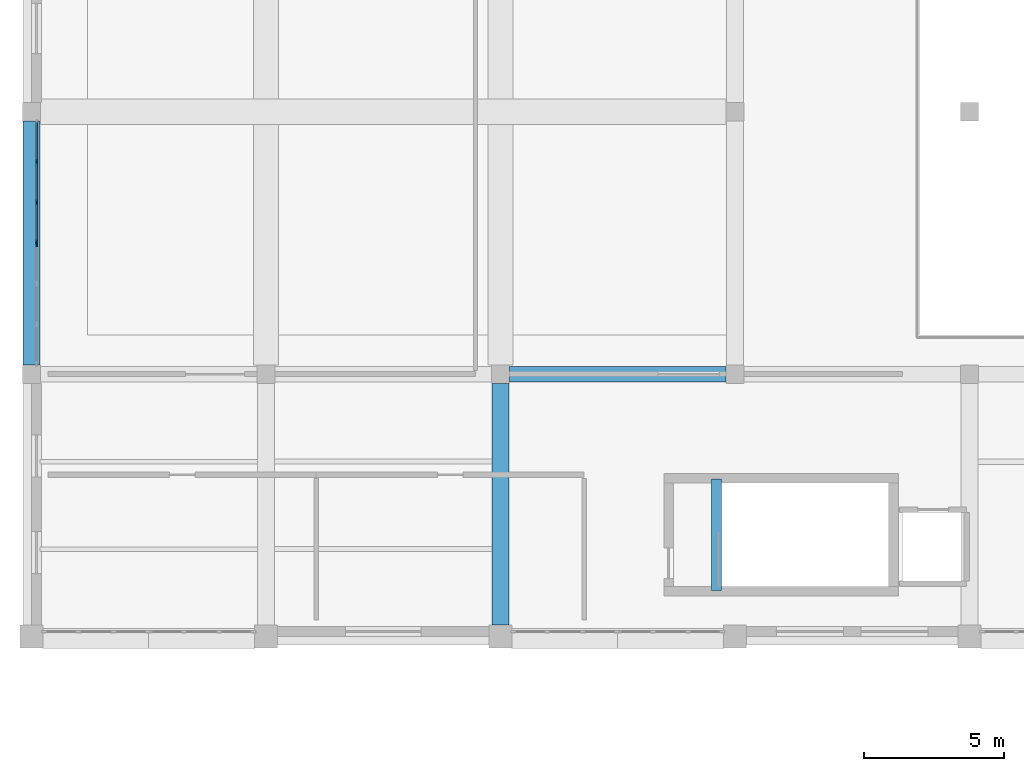
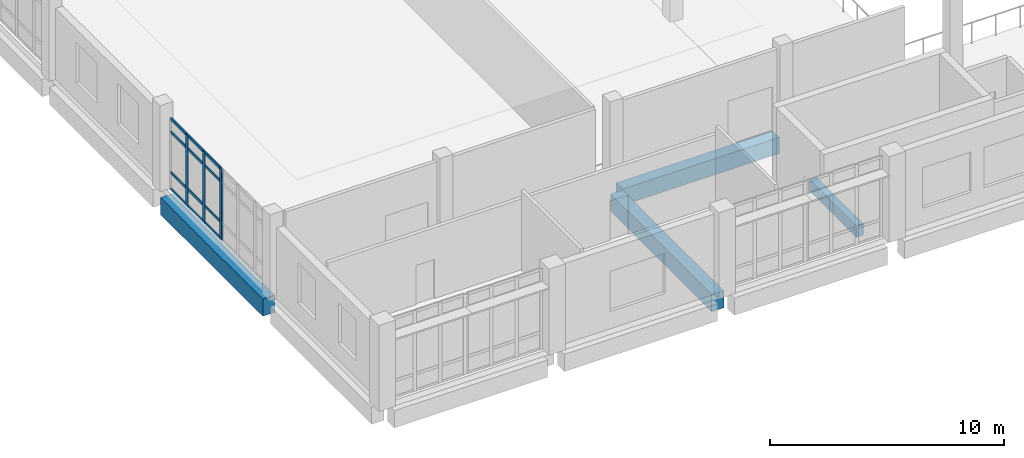
# One storey, part 12 of 54: 16 members, 4 beams, 2 elements without a shape of their own.
"""IFC4 building model written with IfcOpenShell, lengths in metres."""

from ifc_helpers import new_model, si_unit, direction, frame, origin, origin_2d, place, context, subcontext, project, spatial, rectangle, extrude, material, layer, layer_set, material_profile, profile_set, type_object, element, aggregate, save


model = new_model("IFC4")

# Units and contexts
model_context = context("Model", 3, precision=1e-05, world=origin(), true_north=direction((0.0, 1.0)))
body_context = subcontext(model_context, "Body", "Model", "MODEL_VIEW")
ifc_project = project(units=[si_unit("LENGTHUNIT", "METRE"), si_unit("AREAUNIT", "SQUARE_METRE"), si_unit("VOLUMEUNIT", "CUBIC_METRE"), si_unit("PLANEANGLEUNIT", "RADIAN"), si_unit("MASSUNIT", "GRAM", prefix="KILO")], contexts=[model_context])

# Site, building, storey
site_placement = place(None, origin())
site = spatial("IfcSite", under=ifc_project, at=site_placement, CompositionType="ELEMENT")
building_placement = place(site_placement, origin())
building = spatial("IfcBuilding", under=site, at=building_placement, Name="Kelarvand Opera House", CompositionType="ELEMENT")
storey_placement = place(building_placement, frame((0.0, 0.0, 15.0)))
storey = spatial("IfcBuildingStorey", under=building, at=storey_placement, Name="L03", CompositionType="ELEMENT", Elevation=15.0)

# Curtain wall, member
ifc_material_1 = material(Name="Thermally broken aluminium and low-E glazing", Category="aluminium")
ifc_layer = layer(ifc_material_1, 0.179931640625, Name="Thermally broken aluminium and low-E glazing", Category="aluminium")
ifc_layer_set = layer_set([ifc_layer], Name="Thermally broken aluminium and low-E glazing")
curtain_wall_type = type_object("IfcCurtainWallType", Name="Unitised Low-E Curtain Wall 4326x3717 Mod 1350 CWF-20", PredefinedType="USERDEFINED", material=ifc_layer_set)
curtain_wall_1_placement = place(storey_placement, origin())
curtain_wall_1 = element("IfcCurtainWall", 1, at=curtain_wall_1_placement, inside=storey, type_object=curtain_wall_type, Name="V3 L03 Curtain Wall CWF-20 (97)", ObjectType="UNITISED CURTAIN WALL", PredefinedType="USERDEFINED")
ifc_material_2 = material(Name="Thermally broken anodised aluminium", Category="aluminium")
ifc_material_profile_1 = material_profile(ifc_material_2, rectangle(XDim=0.06494140625, YDim=0.179931640625, at=origin_2d()), Name="ALU MULLION 65x180", Category="aluminium")
ifc_profile_set_1 = profile_set([ifc_material_profile_1], Name="Thermally broken anodised aluminium")
member_type_1 = type_object("IfcMemberType", Name="Curtain Wall Mullion 65x180 Aluminium", PredefinedType="MULLION", material=ifc_profile_set_1)
member_1_placement = place(storey_placement, frame((9.179931640625, 101.263427734375, 0.0), z_axis=(0.0, 0.0, 1.0), x_axis=(-1.0, 0.0, 0.0)))
member_1 = element("IfcMember", 2, at=member_1_placement, type_object=member_type_1, Name="CWF-20 mullion 4", PredefinedType="MULLION", context=body_context, shape_type="SweptSolid", body=[
    extrude(rectangle(XDim=0.06494140625, YDim=0.179931640625, at=origin_2d()), origin(), (0.0, 0.0, 1.0), 3.71728515625),
])
aggregate(curtain_wall_1, [member_1])

# Curtain wall, members
curtain_wall_2_placement = place(storey_placement, origin())
curtain_wall_2 = element("IfcCurtainWall", 3, at=curtain_wall_2_placement, inside=storey, type_object=curtain_wall_type, Name="V3 L03 Curtain Wall CWF-20 (98)", ObjectType="UNITISED CURTAIN WALL", PredefinedType="USERDEFINED")
member_2_placement = place(storey_placement, frame((9.179931640625, 101.33251953125, 0.0), z_axis=(0.0, 0.0, 1.0), x_axis=(-1.0, 0.0, 0.0)))
member_2 = element("IfcMember", 4, at=member_2_placement, type_object=member_type_1, Name="CWF-20 mullion 1", PredefinedType="MULLION", context=body_context, shape_type="SweptSolid", body=[
    extrude(rectangle(XDim=0.06494140625, YDim=0.179931640625, at=origin_2d()), origin(), (0.0, 0.0, 1.0), 3.71728515625),
])
member_3_placement = place(storey_placement, frame((9.179931640625, 102.7548828125, 0.0), z_axis=(0.0, 0.0, 1.0), x_axis=(-1.0, 0.0, 0.0)))
member_3 = element("IfcMember", 5, at=member_3_placement, type_object=member_type_1, Name="CWF-20 mullion 2", PredefinedType="MULLION", context=body_context, shape_type="SweptSolid", body=[
    extrude(rectangle(XDim=0.06494140625, YDim=0.179931640625, at=origin_2d()), origin(), (0.0, 0.0, 1.0), 3.71728515625),
])
member_4_placement = place(storey_placement, frame((9.179931640625, 104.2099609375, 0.0), z_axis=(0.0, 0.0, 1.0), x_axis=(-1.0, 0.0, 0.0)))
member_4 = element("IfcMember", 6, at=member_4_placement, type_object=member_type_1, Name="CWF-20 mullion 3", PredefinedType="MULLION", context=body_context, shape_type="SweptSolid", body=[
    extrude(rectangle(XDim=0.06494140625, YDim=0.179931640625, at=origin_2d()), origin(), (0.0, 0.0, 1.0), 3.71728515625),
])
ifc_material_profile_2 = material_profile(ifc_material_2, rectangle(XDim=0.06494140625, YDim=0.139892578125, at=origin_2d()), Name="ALU TRANSOM 65x140", Category="aluminium")
ifc_profile_set_2 = profile_set([ifc_material_profile_2], Name="Thermally broken anodised aluminium")
member_type_2 = type_object("IfcMemberType", Name="Curtain Wall Transom 65x140 Aluminium", PredefinedType="USERDEFINED", material=ifc_profile_set_2)
member_5_placement = place(storey_placement, frame((9.179931640625, 101.364990234375, 0.032470703125), z_axis=(0.0, 1.0, 0.0), x_axis=(-1.0, 0.0, 0.0)))
member_5 = element("IfcMember", 7, at=member_5_placement, type_object=member_type_2, Name="CWF-20 transom 1.1", ObjectType="TRANSOM", PredefinedType="USERDEFINED", context=body_context, shape_type="SweptSolid", body=[
    extrude(rectangle(XDim=0.06494140625, YDim=0.139892578125, at=origin_2d()), origin(), (0.0, 0.0, 1.0), 1.357421875),
])
member_6_placement = place(storey_placement, frame((9.179931640625, 101.364990234375, 0.89990234375), z_axis=(0.0, 1.0, 0.0), x_axis=(-1.0, 0.0, 0.0)))
member_6 = element("IfcMember", 8, at=member_6_placement, type_object=member_type_2, Name="CWF-20 transom 1.2", ObjectType="TRANSOM", PredefinedType="USERDEFINED", context=body_context, shape_type="SweptSolid", body=[
    extrude(rectangle(XDim=0.06494140625, YDim=0.139892578125, at=origin_2d()), origin(), (0.0, 0.0, 1.0), 1.357421875),
])
member_7_placement = place(storey_placement, frame((9.179931640625, 101.364990234375, 3.01708984375), z_axis=(0.0, 1.0, 0.0), x_axis=(-1.0, 0.0, 0.0)))
member_7 = element("IfcMember", 9, at=member_7_placement, type_object=member_type_2, Name="CWF-20 transom 1.3", ObjectType="TRANSOM", PredefinedType="USERDEFINED", context=body_context, shape_type="SweptSolid", body=[
    extrude(rectangle(XDim=0.06494140625, YDim=0.139892578125, at=origin_2d()), origin(), (0.0, 0.0, 1.0), 1.357421875),
])
member_8_placement = place(storey_placement, frame((9.179931640625, 101.364990234375, 3.684814453125), z_axis=(0.0, 1.0, 0.0), x_axis=(-1.0, 0.0, 0.0)))
member_8 = element("IfcMember", 10, at=member_8_placement, type_object=member_type_2, Name="CWF-20 transom 1.4", ObjectType="TRANSOM", PredefinedType="USERDEFINED", context=body_context, shape_type="SweptSolid", body=[
    extrude(rectangle(XDim=0.06494140625, YDim=0.139892578125, at=origin_2d()), origin(), (0.0, 0.0, 1.0), 1.357421875),
])
member_9_placement = place(storey_placement, frame((9.179931640625, 102.78759765625, 0.032470703125), z_axis=(0.0, 1.0, 0.0), x_axis=(-1.0, 0.0, 0.0)))
member_9 = element("IfcMember", 11, at=member_9_placement, type_object=member_type_2, Name="CWF-20 transom 2.1", ObjectType="TRANSOM", PredefinedType="USERDEFINED", context=body_context, shape_type="SweptSolid", body=[
    extrude(rectangle(XDim=0.06494140625, YDim=0.139892578125, at=origin_2d()), origin(), (0.0, 0.0, 1.0), 1.389892578125),
])
member_10_placement = place(storey_placement, frame((9.179931640625, 102.78759765625, 0.89990234375), z_axis=(0.0, 1.0, 0.0), x_axis=(-1.0, 0.0, 0.0)))
member_10 = element("IfcMember", 12, at=member_10_placement, type_object=member_type_2, Name="CWF-20 transom 2.2", ObjectType="TRANSOM", PredefinedType="USERDEFINED", context=body_context, shape_type="SweptSolid", body=[
    extrude(rectangle(XDim=0.06494140625, YDim=0.139892578125, at=origin_2d()), origin(), (0.0, 0.0, 1.0), 1.389892578125),
])
member_11_placement = place(storey_placement, frame((9.179931640625, 102.78759765625, 3.01708984375), z_axis=(0.0, 1.0, 0.0), x_axis=(-1.0, 0.0, 0.0)))
member_11 = element("IfcMember", 13, at=member_11_placement, type_object=member_type_2, Name="CWF-20 transom 2.3", ObjectType="TRANSOM", PredefinedType="USERDEFINED", context=body_context, shape_type="SweptSolid", body=[
    extrude(rectangle(XDim=0.06494140625, YDim=0.139892578125, at=origin_2d()), origin(), (0.0, 0.0, 1.0), 1.389892578125),
])
member_12_placement = place(storey_placement, frame((9.179931640625, 102.78759765625, 3.684814453125), z_axis=(0.0, 1.0, 0.0), x_axis=(-1.0, 0.0, 0.0)))
member_12 = element("IfcMember", 14, at=member_12_placement, type_object=member_type_2, Name="CWF-20 transom 2.4", ObjectType="TRANSOM", PredefinedType="USERDEFINED", context=body_context, shape_type="SweptSolid", body=[
    extrude(rectangle(XDim=0.06494140625, YDim=0.139892578125, at=origin_2d()), origin(), (0.0, 0.0, 1.0), 1.389892578125),
])
member_13_placement = place(storey_placement, frame((9.179931640625, 104.242431640625, 0.032470703125), z_axis=(0.0, 1.0, 0.0), x_axis=(-1.0, 0.0, 0.0)))
member_13 = element("IfcMember", 15, at=member_13_placement, type_object=member_type_2, Name="CWF-20 transom 3.1", ObjectType="TRANSOM", PredefinedType="USERDEFINED", context=body_context, shape_type="SweptSolid", body=[
    extrude(rectangle(XDim=0.06494140625, YDim=0.139892578125, at=origin_2d()), origin(), (0.0, 0.0, 1.0), 1.357666015625),
])
member_14_placement = place(storey_placement, frame((9.179931640625, 104.242431640625, 0.89990234375), z_axis=(0.0, 1.0, 0.0), x_axis=(-1.0, 0.0, 0.0)))
member_14 = element("IfcMember", 16, at=member_14_placement, type_object=member_type_2, Name="CWF-20 transom 3.2", ObjectType="TRANSOM", PredefinedType="USERDEFINED", context=body_context, shape_type="SweptSolid", body=[
    extrude(rectangle(XDim=0.06494140625, YDim=0.139892578125, at=origin_2d()), origin(), (0.0, 0.0, 1.0), 1.357666015625),
])
member_15_placement = place(storey_placement, frame((9.179931640625, 104.242431640625, 3.01708984375), z_axis=(0.0, 1.0, 0.0), x_axis=(-1.0, 0.0, 0.0)))
member_15 = element("IfcMember", 17, at=member_15_placement, type_object=member_type_2, Name="CWF-20 transom 3.3", ObjectType="TRANSOM", PredefinedType="USERDEFINED", context=body_context, shape_type="SweptSolid", body=[
    extrude(rectangle(XDim=0.06494140625, YDim=0.139892578125, at=origin_2d()), origin(), (0.0, 0.0, 1.0), 1.357666015625),
])
member_16_placement = place(storey_placement, frame((9.179931640625, 104.242431640625, 3.684814453125), z_axis=(0.0, 1.0, 0.0), x_axis=(-1.0, 0.0, 0.0)))
member_16 = element("IfcMember", 18, at=member_16_placement, type_object=member_type_2, Name="CWF-20 transom 3.4", ObjectType="TRANSOM", PredefinedType="USERDEFINED", context=body_context, shape_type="SweptSolid", body=[
    extrude(rectangle(XDim=0.06494140625, YDim=0.139892578125, at=origin_2d()), origin(), (0.0, 0.0, 1.0), 1.357666015625),
])
aggregate(curtain_wall_2, [member_2, member_3, member_4, member_5, member_6, member_7, member_8, member_9, member_10, member_11, member_12, member_13, member_14, member_15, member_16])

# Beams
ifc_material_3 = material(Name="Concrete C35/45", Category="concrete")
ifc_material_profile_3 = material_profile(ifc_material_3, rectangle(XDim=0.35009765625, YDim=0.60009765625, at=origin_2d()), Name="RC 350x600", Category="concrete")
ifc_profile_set_3 = profile_set([ifc_material_profile_3], Name="Concrete C35/45")
beam_type_1 = type_object("IfcBeamType", Name="Structural Beam RC 350x600 BM-RC350x600", PredefinedType="BEAM", material=ifc_profile_set_3)
beam_1_placement = place(storey_placement, frame((33.5400390625, 88.85009765625, -0.52001953125), z_axis=(0.0, 1.0, 0.0), x_axis=(-1.0, 0.0, 0.0)))
element("IfcBeam", 19, at=beam_1_placement, inside=storey, type_object=beam_type_1, Name="C5 Stair Landing Support Beam L03", PredefinedType="BEAM", context=body_context, shape_type="SweptSolid", body=[
    extrude(rectangle(XDim=0.35009765625, YDim=0.60009765625, at=origin_2d()), origin(), (0.0, 0.0, 1.0), 4.0),
])
ifc_material_4 = material(Name="Concrete C40/50", Category="concrete")
ifc_material_profile_4 = material_profile(ifc_material_4, rectangle(XDim=0.550048828125, YDim=0.85009765625, at=origin_2d()), Name="RC 550x850", Category="concrete")
ifc_profile_set_4 = profile_set([ifc_material_profile_4], Name="Concrete C40/50")
beam_type_2 = type_object("IfcBeamType", Name="Structural Beam RC 550x850 BM-RC550x850", PredefinedType="BEAM", material=ifc_profile_set_4)
beam_2_placement = place(storey_placement, frame((26.125, 96.60009765625, -0.72509765625), z_axis=(1.0, 0.0, 0.0), x_axis=(0.0, 1.0, 0.0)))
element("IfcBeam", 20, at=beam_2_placement, inside=storey, type_object=beam_type_2, Name="V3 L03 Beam BM-RC550x850", PredefinedType="BEAM", context=body_context, shape_type="SweptSolid", body=[
    extrude(rectangle(XDim=0.550048828125, YDim=0.85009765625, at=origin_2d()), origin(), (0.0, 0.0, 1.0), 7.75),
])
ifc_material_profile_5 = material_profile(ifc_material_4, rectangle(XDim=0.60009765625, YDim=0.89990234375, at=origin_2d()), Name="RC 600x900", Category="concrete")
ifc_profile_set_5 = profile_set([ifc_material_profile_5], Name="Concrete C40/50")
beam_type_3 = type_object("IfcBeamType", Name="Structural Beam RC 600x900 BM-RC600x900", PredefinedType="BEAM", material=ifc_profile_set_5)
beam_3_placement = place(storey_placement, frame((25.800048828125, 87.610107421875, -0.75), z_axis=(0.0, 1.0, 0.0), x_axis=(-1.0, 0.0, 0.0)))
element("IfcBeam", 21, at=beam_3_placement, inside=storey, type_object=beam_type_3, Name="V3 L03 Beam BM-RC600x900", PredefinedType="BEAM", context=body_context, shape_type="SweptSolid", body=[
    extrude(rectangle(XDim=0.60009765625, YDim=0.89990234375, at=origin_2d()), origin(), (0.0, 0.0, 1.0), 8.664794921875),
])
ifc_material_profile_6 = material_profile(ifc_material_4, rectangle(XDim=0.60009765625, YDim=0.89990234375, at=origin_2d()), Name="RC 600x900", Category="concrete")
ifc_profile_set_6 = profile_set([ifc_material_profile_6], Name="Concrete C40/50")
beam_type_4 = type_object("IfcBeamType", Name="Structural Spandrel RC 600x900 SP-RC600x900E", PredefinedType="SPANDREL", material=ifc_profile_set_6)
beam_4_placement = place(storey_placement, frame((9.0, 96.925048828125, -0.75), z_axis=(0.0, 1.0, 0.0), x_axis=(-1.0, 0.0, 0.0)))
element("IfcBeam", 22, at=beam_4_placement, inside=storey, type_object=beam_type_4, Name="V3 L03 Beam SP-RC600x900E", PredefinedType="SPANDREL", context=body_context, shape_type="SweptSolid", body=[
    extrude(rectangle(XDim=0.60009765625, YDim=0.89990234375, at=origin_2d()), origin(), (0.0, 0.0, 1.0), 8.75),
])

save(model, "model.ifc")
